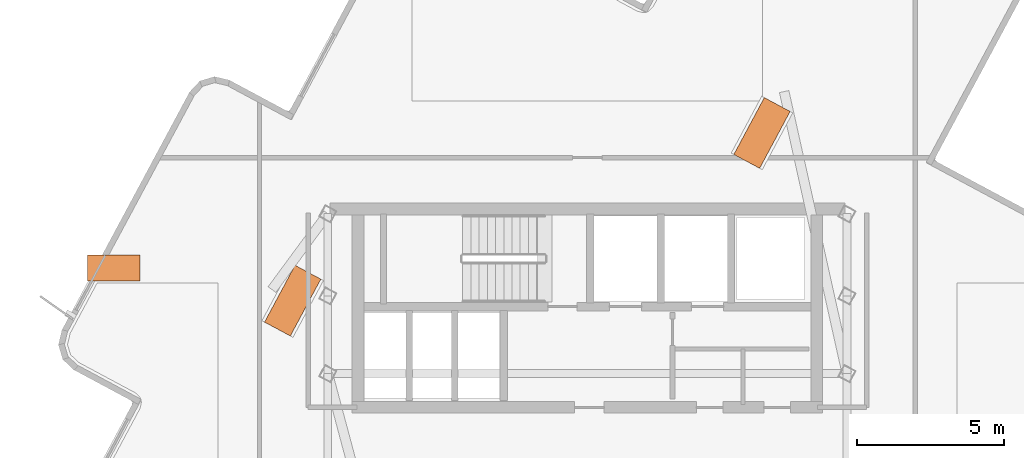
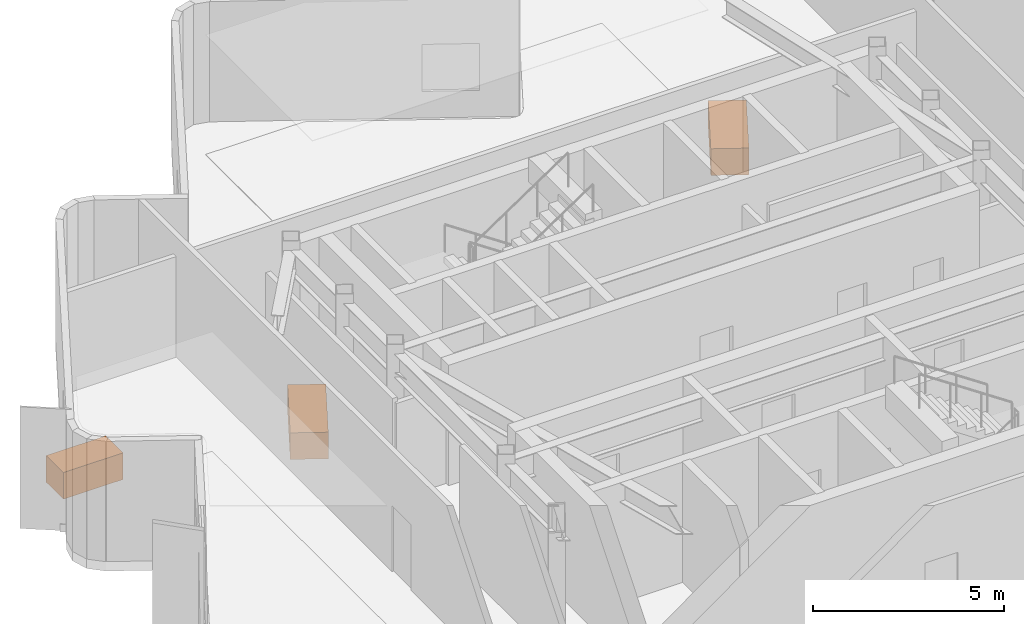
# One storey, part 9 of 9: 3 proxies.
"""IFC4 building model written with IfcOpenShell, lengths in metres."""

from ifc_helpers import new_model, si_unit, direction, frame, origin, origin_2d, place, context, subcontext, project, spatial, rectangle, extrude, material, type_object, element, save


model = new_model("IFC4")

# Units and contexts
model_context = context("Model", 3, precision=1e-05, world=origin(), true_north=direction((0.0, 1.0)))
body_context = subcontext(model_context, "Body", "Model", "MODEL_VIEW")
ifc_project = project(units=[si_unit("LENGTHUNIT", "METRE"), si_unit("AREAUNIT", "SQUARE_METRE"), si_unit("VOLUMEUNIT", "CUBIC_METRE"), si_unit("PLANEANGLEUNIT", "RADIAN"), si_unit("MASSUNIT", "GRAM", prefix="KILO")], contexts=[model_context])

# Site, building, storey
site_placement = place(None, origin())
site = spatial("IfcSite", under=ifc_project, at=site_placement, CompositionType="ELEMENT")
building_placement = place(site_placement, origin())
building = spatial("IfcBuilding", under=site, at=building_placement, Name="Solmarez Civic Tower", CompositionType="ELEMENT")
storey_placement = place(building_placement, frame((0.0, 0.0, 285.1201171875)))
storey = spatial("IfcBuildingStorey", under=building, at=storey_placement, Name="L77 Crown", CompositionType="ELEMENT", Elevation=285.1201171875)

# Proxies
ifc_material = material(Name="Precast concrete C40/50", Category="concrete")
building_element_proxy_type = type_object("IfcBuildingElementProxyType", Name="PROXY-PLANTER-RC", PredefinedType="USERDEFINED", material=ifc_material)
proxy_placement = place(storey_placement, frame((-16.14990234375, 6.5, -0.000244140625), z_axis=(0.0, 0.0, 1.0), x_axis=(1.0, 0.0, 0.0)))
element("IfcBuildingElementProxy", 1, at=proxy_placement, inside=storey, type_object=building_element_proxy_type, Name="L77 Crown Setback Terrace Structural Planter W1", ObjectType="PLANTER", PredefinedType="USERDEFINED", context=body_context, shape_type="SweptSolid", body=[
    extrude(rectangle(XDim=1.800048828125, YDim=0.89990234375, at=origin_2d()), origin(), (0.0, 0.0, 1.0), 0.85009765625),
])
for number, where, z_axis, x_axis, name in (
    (2, (5.9541015625, 11.10400390625, -0.000244140625), (0.0, 0.0, 1.0), (0.472550764869, 0.881303452065, 0.0), "L77 Crown Conservatory Structural Planter 1"),
    (3, (-10.047119140625, 5.386962890625, -0.000244140625), (0.0, 0.0, 1.0), (0.472550764869, 0.881303452065, 0.0), "L77 Crown Conservatory Structural Planter 2"),
):
    element("IfcBuildingElementProxy", number, at=place(storey_placement, frame(where, z_axis=z_axis, x_axis=x_axis)), inside=storey, type_object=building_element_proxy_type, Name=name, ObjectType="PLANTER", PredefinedType="USERDEFINED", context=body_context, shape_type="SweptSolid", body=[
        extrude(rectangle(XDim=2.199951171875, YDim=1.0, at=origin_2d()), origin(), (0.0, 0.0, 1.0), 0.85009765625),
    ])

save(model, "model.ifc")
